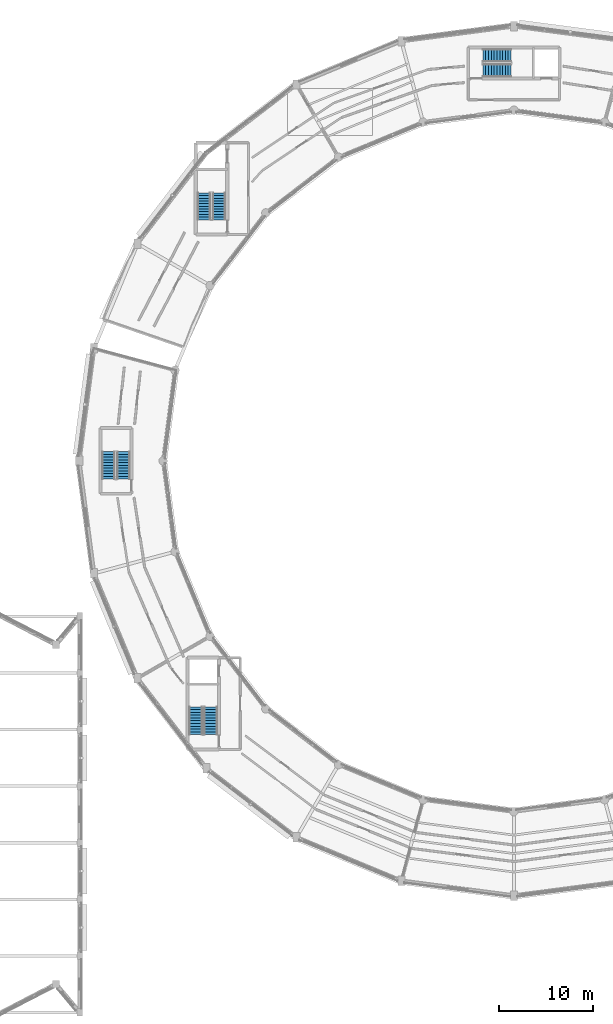
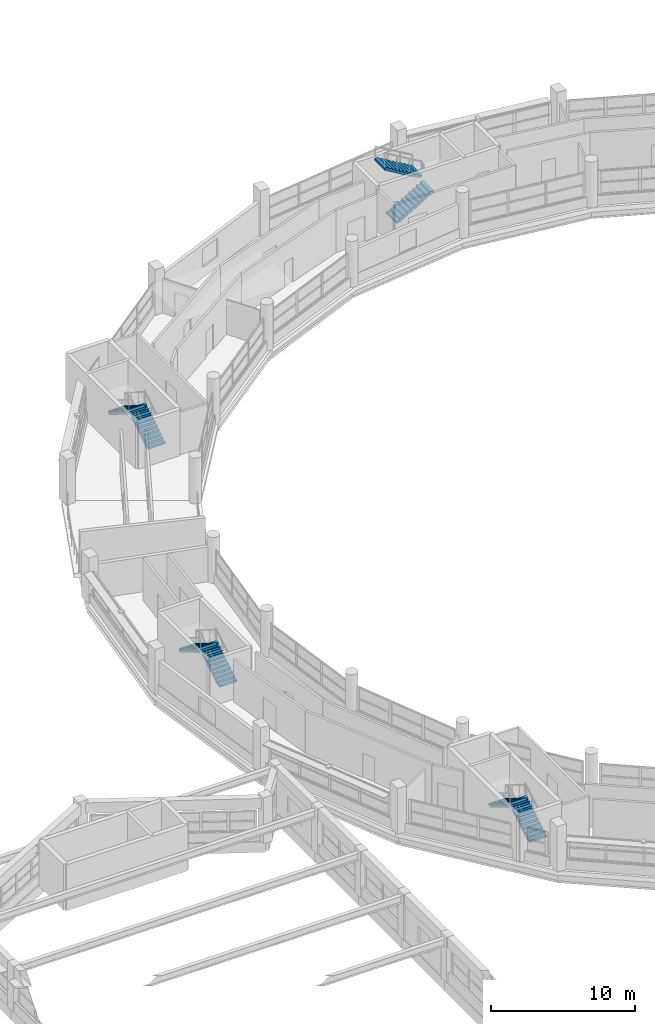
# One storey, part 97 of 108: 8 stair flights, 4 elements without a shape of their own.
"""IFC4 building model written with IfcOpenShell, lengths in metres."""

from ifc_helpers import new_model, si_unit, direction, frame, origin, place, context, subcontext, project, spatial, polyline, outline, extrude, material, type_object, element, aggregate, save


model = new_model("IFC4")

# Units and contexts
model_context = context("Model", 3, precision=1e-05, world=origin(), true_north=direction((0.0, 1.0)))
body_context = subcontext(model_context, "Body", "Model", "MODEL_VIEW")
ifc_project = project(units=[si_unit("LENGTHUNIT", "METRE"), si_unit("AREAUNIT", "SQUARE_METRE"), si_unit("VOLUMEUNIT", "CUBIC_METRE"), si_unit("PLANEANGLEUNIT", "RADIAN"), si_unit("MASSUNIT", "GRAM", prefix="KILO")], contexts=[model_context])

# Site, building, storey
site_placement = place(None, origin())
site = spatial("IfcSite", under=ifc_project, at=site_placement, CompositionType="ELEMENT")
building_placement = place(site_placement, origin())
building = spatial("IfcBuilding", under=site, at=building_placement, Name="Vespera Passage Community Centre", CompositionType="ELEMENT")
storey_placement = place(building_placement, frame((0.0, 0.0, 12.60009765625)))
storey = spatial("IfcBuildingStorey", under=building, at=storey_placement, Name="L03", CompositionType="ELEMENT", Elevation=12.60009765625)

# Stair, stair flights
ifc_material_1 = material(Name="Concrete f'c 35 MPa", Category="concrete")
stair_type_1 = type_object("IfcStairType", Name="ST-T03", PredefinedType="HALF_TURN_STAIR", material=ifc_material_1)
stair_1_placement = place(storey_placement, origin())
stair_1 = element("IfcStair", 1, at=stair_1_placement, inside=storey, type_object=stair_type_1, Name="L03 Core C1 Exit Stair ST03", PredefinedType="HALF_TURN_STAIR")
ifc_material_2 = material(Name="Concrete f'c 35 MPa", Category="concrete")
stair_flight_type_1 = type_object("IfcStairFlightType", Name="STF-T03", PredefinedType="STRAIGHT", material=ifc_material_2)
stair_flight_1_placement = place(storey_placement, frame((46.73291015625, 91.077880859375, 0.0), z_axis=(0.0, 0.0, 1.0), x_axis=(0.0, 1.0, 0.0)))
stair_flight_1 = element("IfcStairFlight", 2, at=stair_flight_1_placement, type_object=stair_flight_type_1, Name="ST03 flight 1", NumberOfRisers=11, NumberOfTreads=10, PredefinedType="STRAIGHT", RiserHeight=0.177272727, TreadLength=0.285, context=body_context, shape_type="SweptSolid", body=[
    extrude(outline(polyline([(0.0, 0.0), (0.0, 0.17724609375), (0.284912109375, 0.17724609375), (0.284912109375, 0.3544921875), (0.570068359375, 0.3544921875), (0.570068359375, 0.53173828125), (0.85498046875, 0.53173828125), (0.85498046875, 0.708984375), (1.139892578125, 0.708984375), (1.139892578125, 0.886474609375), (1.425048828125, 0.886474609375), (1.425048828125, 1.063720703125), (1.7099609375, 1.063720703125), (1.7099609375, 1.240966796875), (1.9951171875, 1.240966796875), (1.9951171875, 1.418212890625), (2.280029296875, 1.418212890625), (2.280029296875, 1.595458984375), (2.56494140625, 1.595458984375), (2.56494140625, 1.772705078125), (2.85009765625, 1.772705078125), (2.85009765625, 1.949951171875), (2.85009765625, 1.59619140625), (0.283935546875, 0.0), (0.0, 0.0)])), frame((0.0, 0.699951171875, 0.0), z_axis=(0.0, -1.0, 0.0), x_axis=(1.0, 0.0, 0.0)), (0.0, 0.0, 1.0), 1.39990234375),
])
stair_flight_2_placement = place(storey_placement, frame((45.133056640625, 93.927978515625, 1.949951171875), z_axis=(0.0, 0.0, 1.0), x_axis=(0.0, -1.0, 0.0)))
stair_flight_2 = element("IfcStairFlight", 3, at=stair_flight_2_placement, type_object=stair_flight_type_1, Name="ST03 flight 2", NumberOfRisers=11, NumberOfTreads=10, PredefinedType="STRAIGHT", RiserHeight=0.177272727, TreadLength=0.285, context=body_context, shape_type="SweptSolid", body=[
    extrude(outline(polyline([(0.0, 0.0), (0.0, 0.17724609375), (0.284912109375, 0.17724609375), (0.284912109375, 0.3544921875), (0.570068359375, 0.3544921875), (0.570068359375, 0.53173828125), (0.85498046875, 0.53173828125), (0.85498046875, 0.708984375), (1.139892578125, 0.708984375), (1.139892578125, 0.886474609375), (1.425048828125, 0.886474609375), (1.425048828125, 1.063720703125), (1.7099609375, 1.063720703125), (1.7099609375, 1.240966796875), (1.9951171875, 1.240966796875), (1.9951171875, 1.418212890625), (2.280029296875, 1.418212890625), (2.280029296875, 1.595458984375), (2.56494140625, 1.595458984375), (2.56494140625, 1.772705078125), (2.85009765625, 1.772705078125), (2.85009765625, 1.949951171875), (2.85009765625, 1.59619140625), (0.283935546875, 0.0), (0.0, 0.0)])), frame((0.0, 0.699951171875, 0.0), z_axis=(0.0, -1.0, 0.0), x_axis=(1.0, 0.0, 0.0)), (0.0, 0.0, 1.0), 1.39990234375),
])
aggregate(stair_1, [stair_flight_1, stair_flight_2])

ifc_material_3 = material(Name="Concrete f'c 35 MPa", Category="concrete")
stair_type_2 = type_object("IfcStairType", Name="ST-T06", PredefinedType="HALF_TURN_STAIR", material=ifc_material_3)
stair_2_placement = place(storey_placement, origin())
stair_2 = element("IfcStair", 4, at=stair_2_placement, inside=storey, type_object=stair_type_2, Name="L03 Core C2 Exit Stair ST04", PredefinedType="HALF_TURN_STAIR")
ifc_material_4 = material(Name="Concrete f'c 35 MPa", Category="concrete")
stair_flight_type_2 = type_object("IfcStairFlightType", Name="STF-T06", PredefinedType="STRAIGHT", material=ifc_material_4)
stair_flight_3_placement = place(storey_placement, frame((36.60009765625, 63.574951171875, 0.0), z_axis=(0.0, 0.0, 1.0), x_axis=(0.0, 1.0, 0.0)))
stair_flight_3 = element("IfcStairFlight", 5, at=stair_flight_3_placement, type_object=stair_flight_type_2, Name="ST04 flight 1", NumberOfRisers=11, NumberOfTreads=10, PredefinedType="STRAIGHT", RiserHeight=0.177272727, TreadLength=0.29, context=body_context, shape_type="SweptSolid", body=[
    extrude(outline(polyline([(0.0, 0.0), (0.0, 0.17724609375), (0.2900390625, 0.17724609375), (0.2900390625, 0.3544921875), (0.580078125, 0.3544921875), (0.580078125, 0.53173828125), (0.8701171875, 0.53173828125), (0.8701171875, 0.708984375), (1.159912109375, 0.708984375), (1.159912109375, 0.886474609375), (1.449951171875, 0.886474609375), (1.449951171875, 1.063720703125), (1.739990234375, 1.063720703125), (1.739990234375, 1.240966796875), (2.030029296875, 1.240966796875), (2.030029296875, 1.418212890625), (2.320068359375, 1.418212890625), (2.320068359375, 1.595458984375), (2.610107421875, 1.595458984375), (2.610107421875, 1.772705078125), (2.89990234375, 1.772705078125), (2.89990234375, 1.949951171875), (2.89990234375, 1.596923828125), (0.287353515625, 0.0), (0.0, 0.0)])), frame((0.0, 0.699951171875, 0.0), z_axis=(0.0, -1.0, 0.0), x_axis=(1.0, 0.0, 0.0)), (0.0, 0.0, 1.0), 1.39990234375),
])
stair_flight_4_placement = place(storey_placement, frame((35.0, 66.47509765625, 1.949951171875), z_axis=(0.0, 0.0, 1.0), x_axis=(0.0, -1.0, 0.0)))
stair_flight_4 = element("IfcStairFlight", 6, at=stair_flight_4_placement, type_object=stair_flight_type_2, Name="ST04 flight 2", NumberOfRisers=11, NumberOfTreads=10, PredefinedType="STRAIGHT", RiserHeight=0.177272727, TreadLength=0.29, context=body_context, shape_type="SweptSolid", body=[
    extrude(outline(polyline([(0.0, 0.0), (0.0, 0.17724609375), (0.2900390625, 0.17724609375), (0.2900390625, 0.3544921875), (0.580078125, 0.3544921875), (0.580078125, 0.53173828125), (0.8701171875, 0.53173828125), (0.8701171875, 0.708984375), (1.159912109375, 0.708984375), (1.159912109375, 0.886474609375), (1.449951171875, 0.886474609375), (1.449951171875, 1.063720703125), (1.739990234375, 1.063720703125), (1.739990234375, 1.240966796875), (2.030029296875, 1.240966796875), (2.030029296875, 1.418212890625), (2.320068359375, 1.418212890625), (2.320068359375, 1.595458984375), (2.610107421875, 1.595458984375), (2.610107421875, 1.772705078125), (2.89990234375, 1.772705078125), (2.89990234375, 1.949951171875), (2.89990234375, 1.596923828125), (0.287353515625, 0.0), (0.0, 0.0)])), frame((0.0, 0.699951171875, 0.0), z_axis=(0.0, -1.0, 0.0), x_axis=(1.0, 0.0, 0.0)), (0.0, 0.0, 1.0), 1.39990234375),
])
aggregate(stair_2, [stair_flight_3, stair_flight_4])

ifc_material_5 = material(Name="Concrete f'c 35 MPa", Category="concrete")
stair_type_3 = type_object("IfcStairType", Name="ST-T09", PredefinedType="HALF_TURN_STAIR", material=ifc_material_5)
stair_3_placement = place(storey_placement, origin())
stair_3 = element("IfcStair", 7, at=stair_3_placement, inside=storey, type_object=stair_type_3, Name="L03 Core C3 Exit Stair ST05", PredefinedType="HALF_TURN_STAIR")
ifc_material_6 = material(Name="Concrete f'c 35 MPa", Category="concrete")
stair_flight_type_3 = type_object("IfcStairFlightType", Name="STF-T09", PredefinedType="STRAIGHT", material=ifc_material_6)
stair_flight_5_placement = place(storey_placement, frame((45.861083984375, 36.469970703125, 0.0), z_axis=(0.0, 0.0, 1.0), x_axis=(0.0, 1.0, 0.0)))
stair_flight_5 = element("IfcStairFlight", 8, at=stair_flight_5_placement, type_object=stair_flight_type_3, Name="ST05 flight 1", NumberOfRisers=11, NumberOfTreads=10, PredefinedType="STRAIGHT", RiserHeight=0.177272727, TreadLength=0.295, context=body_context, shape_type="SweptSolid", body=[
    extrude(outline(polyline([(0.0, 0.0), (0.0, 0.17724609375), (0.294921875, 0.17724609375), (0.294921875, 0.3544921875), (0.590087890625, 0.3544921875), (0.590087890625, 0.53173828125), (0.885009765625, 0.53173828125), (0.885009765625, 0.708984375), (1.179931640625, 0.708984375), (1.179931640625, 0.886474609375), (1.47509765625, 0.886474609375), (1.47509765625, 1.063720703125), (1.77001953125, 1.063720703125), (1.77001953125, 1.240966796875), (2.06494140625, 1.240966796875), (2.06494140625, 1.418212890625), (2.360107421875, 1.418212890625), (2.360107421875, 1.595458984375), (2.655029296875, 1.595458984375), (2.655029296875, 1.772705078125), (2.949951171875, 1.772705078125), (2.949951171875, 1.949951171875), (2.949951171875, 1.597900390625), (0.291015625, 0.0), (0.0, 0.0)])), frame((0.0, 0.699951171875, 0.0), z_axis=(0.0, -1.0, 0.0), x_axis=(1.0, 0.0, 0.0)), (0.0, 0.0, 1.0), 1.39990234375),
])
stair_flight_6_placement = place(storey_placement, frame((44.260986328125, 39.419921875, 1.949951171875), z_axis=(0.0, 0.0, 1.0), x_axis=(0.0, -1.0, 0.0)))
stair_flight_6 = element("IfcStairFlight", 9, at=stair_flight_6_placement, type_object=stair_flight_type_3, Name="ST05 flight 2", NumberOfRisers=11, NumberOfTreads=10, PredefinedType="STRAIGHT", RiserHeight=0.177272727, TreadLength=0.295, context=body_context, shape_type="SweptSolid", body=[
    extrude(outline(polyline([(0.0, 0.0), (0.0, 0.17724609375), (0.294921875, 0.17724609375), (0.294921875, 0.3544921875), (0.590087890625, 0.3544921875), (0.590087890625, 0.53173828125), (0.885009765625, 0.53173828125), (0.885009765625, 0.708984375), (1.179931640625, 0.708984375), (1.179931640625, 0.886474609375), (1.47509765625, 0.886474609375), (1.47509765625, 1.063720703125), (1.77001953125, 1.063720703125), (1.77001953125, 1.240966796875), (2.06494140625, 1.240966796875), (2.06494140625, 1.418212890625), (2.360107421875, 1.418212890625), (2.360107421875, 1.595458984375), (2.655029296875, 1.595458984375), (2.655029296875, 1.772705078125), (2.949951171875, 1.772705078125), (2.949951171875, 1.949951171875), (2.949951171875, 1.597900390625), (0.291015625, 0.0), (0.0, 0.0)])), frame((0.0, 0.699951171875, 0.0), z_axis=(0.0, -1.0, 0.0), x_axis=(1.0, 0.0, 0.0)), (0.0, 0.0, 1.0), 1.39990234375),
])
aggregate(stair_3, [stair_flight_5, stair_flight_6])

ifc_material_7 = material(Name="Concrete f'c 35 MPa", Category="concrete")
stair_type_4 = type_object("IfcStairType", Name="ST-T12", PredefinedType="HALF_TURN_STAIR", material=ifc_material_7)
stair_4_placement = place(storey_placement, origin())
stair_4 = element("IfcStair", 10, at=stair_4_placement, inside=storey, type_object=stair_type_4, Name="L03 Core C4 Exit Stair ST06", PredefinedType="HALF_TURN_STAIR")
ifc_material_8 = material(Name="Concrete f'c 35 MPa", Category="concrete")
stair_flight_type_4 = type_object("IfcStairFlightType", Name="STF-T12", PredefinedType="STRAIGHT", material=ifc_material_8)
stair_flight_7_placement = place(storey_placement, frame((74.705078125, 106.89990234375, 0.0), z_axis=(0.0, 0.0, 1.0), x_axis=(1.0, 0.0, 0.0)))
stair_flight_7 = element("IfcStairFlight", 11, at=stair_flight_7_placement, type_object=stair_flight_type_4, Name="ST06 flight 1", NumberOfRisers=11, NumberOfTreads=10, PredefinedType="STRAIGHT", RiserHeight=0.177272727, TreadLength=0.3, context=body_context, shape_type="SweptSolid", body=[
    extrude(outline(polyline([(0.0, 0.0), (0.0, 0.17724609375), (0.300048828125, 0.17724609375), (0.300048828125, 0.3544921875), (0.60009765625, 0.3544921875), (0.60009765625, 0.53173828125), (0.89990234375, 0.53173828125), (0.89990234375, 0.708984375), (1.199951171875, 0.708984375), (1.199951171875, 0.886474609375), (1.5, 0.886474609375), (1.5, 1.063720703125), (1.800048828125, 1.063720703125), (1.800048828125, 1.240966796875), (2.10009765625, 1.240966796875), (2.10009765625, 1.418212890625), (2.39990234375, 1.418212890625), (2.39990234375, 1.595458984375), (2.699951171875, 1.595458984375), (2.699951171875, 1.772705078125), (3.0, 1.772705078125), (3.0, 1.949951171875), (3.0, 1.5986328125), (0.294677734375, 0.0), (0.0, 0.0)])), frame((0.0, 0.699951171875, 0.0), z_axis=(0.0, -1.0, 0.0), x_axis=(1.0, 0.0, 0.0)), (0.0, 0.0, 1.0), 1.39990234375),
])
stair_flight_8_placement = place(storey_placement, frame((77.705078125, 108.5, 1.949951171875), z_axis=(0.0, 0.0, 1.0), x_axis=(-1.0, 0.0, 0.0)))
stair_flight_8 = element("IfcStairFlight", 12, at=stair_flight_8_placement, type_object=stair_flight_type_4, Name="ST06 flight 2", NumberOfRisers=11, NumberOfTreads=10, PredefinedType="STRAIGHT", RiserHeight=0.177272727, TreadLength=0.3, context=body_context, shape_type="SweptSolid", body=[
    extrude(outline(polyline([(0.0, 0.0), (0.0, 0.17724609375), (0.300048828125, 0.17724609375), (0.300048828125, 0.3544921875), (0.60009765625, 0.3544921875), (0.60009765625, 0.53173828125), (0.89990234375, 0.53173828125), (0.89990234375, 0.708984375), (1.199951171875, 0.708984375), (1.199951171875, 0.886474609375), (1.5, 0.886474609375), (1.5, 1.063720703125), (1.800048828125, 1.063720703125), (1.800048828125, 1.240966796875), (2.10009765625, 1.240966796875), (2.10009765625, 1.418212890625), (2.39990234375, 1.418212890625), (2.39990234375, 1.595458984375), (2.699951171875, 1.595458984375), (2.699951171875, 1.772705078125), (3.0, 1.772705078125), (3.0, 1.949951171875), (3.0, 1.5986328125), (0.294677734375, 0.0), (0.0, 0.0)])), frame((0.0, 0.699951171875, 0.0), z_axis=(0.0, -1.0, 0.0), x_axis=(1.0, 0.0, 0.0)), (0.0, 0.0, 1.0), 1.39990234375),
])
aggregate(stair_4, [stair_flight_7, stair_flight_8])

save(model, "model.ifc")
